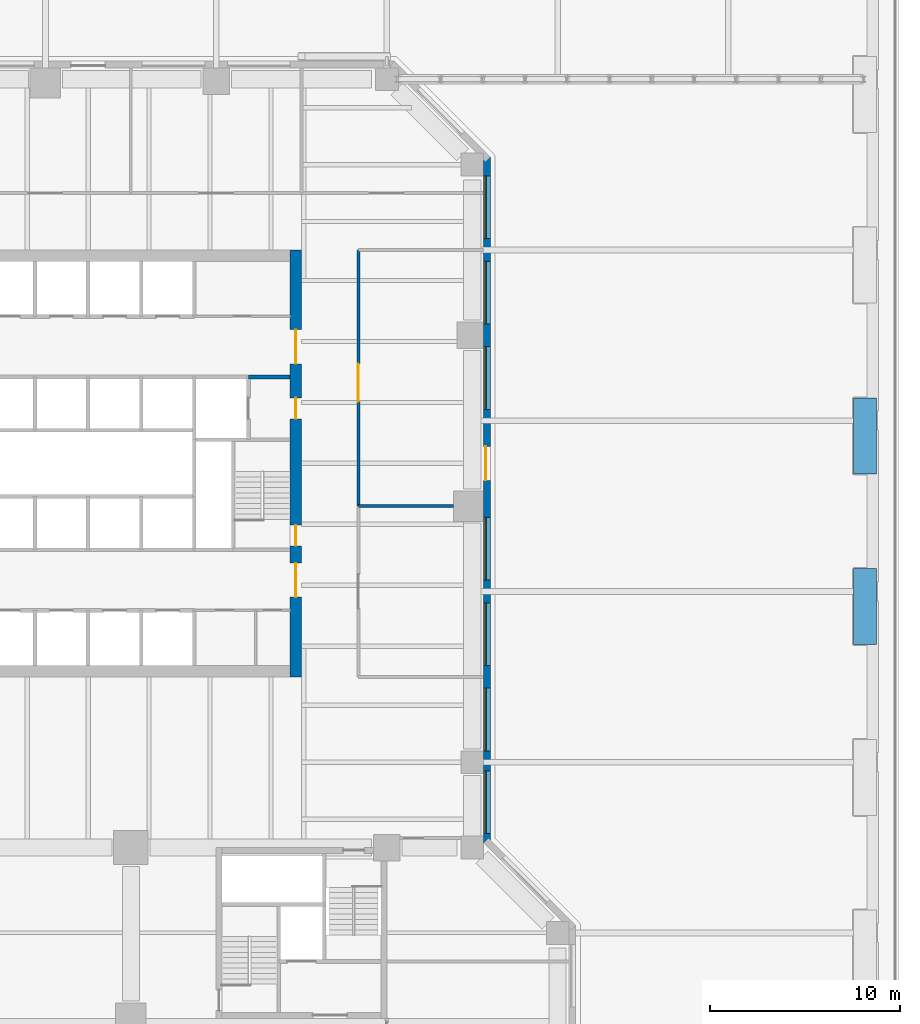
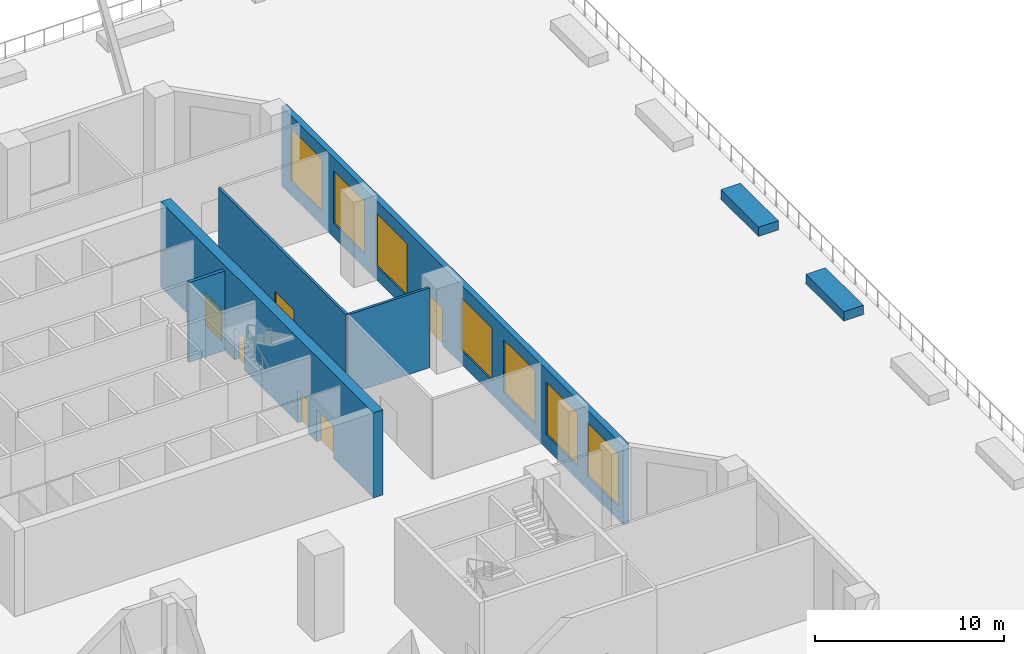
# One storey, part 25 of 33: 7 walls, 7 windows, 6 doors, 13 openings.
"""IFC4 building model written with IfcOpenShell, lengths in metres."""

from ifc_helpers import new_model, si_unit, direction, frame, frame_2d, origin, place, context, subcontext, project, spatial, rectangle, extrude, material, layer, layer_set, constituent, constituent_set, type_object, element, fill, save


model = new_model("IFC4")

# Units and contexts
model_context = context("Model", 3, precision=1e-05, world=origin(), true_north=direction((0.0, 1.0)))
body_context = subcontext(model_context, "Body", "Model", "MODEL_VIEW")
ifc_project = project(units=[si_unit("LENGTHUNIT", "METRE"), si_unit("AREAUNIT", "SQUARE_METRE"), si_unit("VOLUMEUNIT", "CUBIC_METRE"), si_unit("PLANEANGLEUNIT", "RADIAN"), si_unit("MASSUNIT", "GRAM", prefix="KILO")], contexts=[model_context])

# Site, building, storey
site_placement = place(None, origin())
site = spatial("IfcSite", under=ifc_project, at=site_placement, CompositionType="ELEMENT")
building_placement = place(site_placement, origin())
building = spatial("IfcBuilding", under=site, at=building_placement, Name="Quoin Convention Tower", CompositionType="ELEMENT")
storey_placement = place(building_placement, frame((0.0, 0.0, 8.0)))
storey = spatial("IfcBuildingStorey", under=building, at=storey_placement, Name="L01", CompositionType="ELEMENT", Elevation=8.0)

# Wall, openings, windows, door
ifc_material_1 = material(Name="Brick masonry", Category="masonry")
ifc_layer_1 = layer(ifc_material_1, 0.35009765625)
ifc_layer_set_1 = layer_set([ifc_layer_1], Name="Brick masonry")
wall_type_1 = type_object("IfcWallType", Name="Brick facade wall", PredefinedType="STANDARD", material=ifc_layer_set_1)
wall_1_placement = place(storey_placement, frame((77.27490234375, 40.74853515625, 0.0), z_axis=(0.0, 0.0, 1.0), x_axis=(0.0, 1.0, 0.0)))
wall_1 = element("IfcWall", 1, at=wall_1_placement, inside=storey, type_object=wall_type_1, Name="fw-L01-76500_40500", PredefinedType="STANDARD", context=body_context, shape_type="SweptSolid", body=[
    extrude(rectangle(XDim=36.14501953125, YDim=0.35009765625, at=frame_2d((18.072509765625, 0.0))), origin(), (0.0, 0.0, 1.0), 5.125),
])
opening_1_placement = place(wall_1_placement, frame((0.5, 0.0, 0.89990234375)))
opening_1 = element("IfcOpeningElement", 2, at=opening_1_placement, cuts=wall_1, Name="Opening W-04", PredefinedType="OPENING", context=body_context, shape_type="SweptSolid", body=[
    extrude(rectangle(XDim=3.300048828125, YDim=3.39990234375, at=frame_2d((1.64990234375, 1.699951171875))), frame((0.0, 0.18505859375, 0.0), z_axis=(0.0, -1.0, 0.0), x_axis=(1.0, 0.0, 0.0)), (0.0, 0.0, 1.0), 0.3701171875),
])
opening_2_placement = place(wall_1_placement, frame((4.8515625, 0.0, 0.89990234375)))
opening_2 = element("IfcOpeningElement", 3, at=opening_2_placement, cuts=wall_1, Name="Opening W-04", PredefinedType="OPENING", context=body_context, shape_type="SweptSolid", body=[
    extrude(rectangle(XDim=3.300048828125, YDim=3.39990234375, at=frame_2d((1.64990234375, 1.699951171875))), frame((0.0, 0.18505859375, 0.0), z_axis=(0.0, -1.0, 0.0), x_axis=(1.0, 0.0, 0.0)), (0.0, 0.0, 1.0), 0.3701171875),
])
opening_3_placement = place(wall_1_placement, frame((9.3515625, 0.0, 0.89990234375)))
opening_3 = element("IfcOpeningElement", 4, at=opening_3_placement, cuts=wall_1, Name="Opening W-04", PredefinedType="OPENING", context=body_context, shape_type="SweptSolid", body=[
    extrude(rectangle(XDim=3.300048828125, YDim=3.39990234375, at=frame_2d((1.64990234375, 1.699951171875))), frame((0.0, 0.18505859375, 0.0), z_axis=(0.0, -1.0, 0.0), x_axis=(1.0, 0.0, 0.0)), (0.0, 0.0, 1.0), 0.3701171875),
])
opening_4_placement = place(wall_1_placement, frame((13.8515625, 0.0, 0.89990234375)))
opening_4 = element("IfcOpeningElement", 5, at=opening_4_placement, cuts=wall_1, Name="Opening W-04", PredefinedType="OPENING", context=body_context, shape_type="SweptSolid", body=[
    extrude(rectangle(XDim=3.300048828125, YDim=3.39990234375, at=frame_2d((1.64990234375, 1.699951171875))), frame((0.0, 0.18505859375, 0.0), z_axis=(0.0, -1.0, 0.0), x_axis=(1.0, 0.0, 0.0)), (0.0, 0.0, 1.0), 0.3701171875),
])
opening_5_placement = place(wall_1_placement, frame((19.1015625, 0.0, 0.0)))
opening_5 = element("IfcOpeningElement", 6, at=opening_5_placement, cuts=wall_1, Name="Opening D-T1", PredefinedType="OPENING", context=body_context, shape_type="SweptSolid", body=[
    extrude(rectangle(XDim=1.800048828125, YDim=2.39990234375, at=frame_2d((0.89990234375, 1.199951171875))), frame((0.0, 0.18505859375, 0.0), z_axis=(0.0, -1.0, 0.0), x_axis=(1.0, 0.0, 0.0)), (0.0, 0.0, 1.0), 0.3701171875),
])
opening_6_placement = place(wall_1_placement, frame((22.8515625, 0.0, 0.89990234375)))
opening_6 = element("IfcOpeningElement", 7, at=opening_6_placement, cuts=wall_1, Name="Opening W-04", PredefinedType="OPENING", context=body_context, shape_type="SweptSolid", body=[
    extrude(rectangle(XDim=3.300048828125, YDim=3.39990234375, at=frame_2d((1.64990234375, 1.699951171875))), frame((0.0, 0.18505859375, 0.0), z_axis=(0.0, -1.0, 0.0), x_axis=(1.0, 0.0, 0.0)), (0.0, 0.0, 1.0), 0.3701171875),
])
opening_7_placement = place(wall_1_placement, frame((27.3515625, 0.0, 0.89990234375)))
opening_7 = element("IfcOpeningElement", 8, at=opening_7_placement, cuts=wall_1, Name="Opening W-04", PredefinedType="OPENING", context=body_context, shape_type="SweptSolid", body=[
    extrude(rectangle(XDim=3.300048828125, YDim=3.39990234375, at=frame_2d((1.64990234375, 1.699951171875))), frame((0.0, 0.18505859375, 0.0), z_axis=(0.0, -1.0, 0.0), x_axis=(1.0, 0.0, 0.0)), (0.0, 0.0, 1.0), 0.3701171875),
])
opening_8_placement = place(wall_1_placement, frame((31.8515625, 0.0, 0.89990234375)))
opening_8 = element("IfcOpeningElement", 9, at=opening_8_placement, cuts=wall_1, Name="Opening W-04", PredefinedType="OPENING", context=body_context, shape_type="SweptSolid", body=[
    extrude(rectangle(XDim=3.300048828125, YDim=3.39990234375, at=frame_2d((1.64990234375, 1.699951171875))), frame((0.0, 0.18505859375, 0.0), z_axis=(0.0, -1.0, 0.0), x_axis=(1.0, 0.0, 0.0)), (0.0, 0.0, 1.0), 0.3701171875),
])
ifc_material_2 = material(Name="Aluminium", Category="aluminium")
ifc_constituent_1 = constituent(ifc_material_2, Name="Frame")
ifc_material_3 = material(Name="Insulated glass", Category="glass")
ifc_constituent_2 = constituent(ifc_material_3, Name="Glazing")
ifc_constituent_set_1 = constituent_set(constituents=[ifc_constituent_1, ifc_constituent_2], Name="Aluminium")
window_type = type_object("IfcWindowType", Name="Convention window L01", PartitioningType="TRIPLE_PANEL_VERTICAL", PredefinedType="WINDOW", material=ifc_constituent_set_1)
window_1_placement = place(opening_1_placement, origin())
window_1 = element("IfcWindow", 10, at=window_1_placement, inside=storey, type_object=window_type, Name="win-L01-77275_42750", OverallHeight=3.39990234375, OverallWidth=3.300048828125, PartitioningType="SINGLE_PANEL", PredefinedType="WINDOW", context=body_context, shape_type="SweptSolid", body=[
    extrude(rectangle(XDim=3.300048828125, YDim=3.39990234375, at=frame_2d((1.64990234375, 1.699951171875))), frame((0.0, 0.0849609375, 0.0), z_axis=(0.0, -1.0, 0.0), x_axis=(1.0, 0.0, 0.0)), (0.0, 0.0, 1.0), 0.06005859375),
])
fill(opening_1, window_1)
window_2_placement = place(opening_2_placement, origin())
window_2 = element("IfcWindow", 11, at=window_2_placement, inside=storey, type_object=window_type, Name="win-L01-77275_47250", OverallHeight=3.39990234375, OverallWidth=3.300048828125, PartitioningType="SINGLE_PANEL", PredefinedType="WINDOW", context=body_context, shape_type="SweptSolid", body=[
    extrude(rectangle(XDim=3.300048828125, YDim=3.39990234375, at=frame_2d((1.64990234375, 1.699951171875))), frame((0.0, 0.0849609375, 0.0), z_axis=(0.0, -1.0, 0.0), x_axis=(1.0, 0.0, 0.0)), (0.0, 0.0, 1.0), 0.06005859375),
])
fill(opening_2, window_2)
window_3_placement = place(opening_3_placement, origin())
window_3 = element("IfcWindow", 12, at=window_3_placement, inside=storey, type_object=window_type, Name="win-L01-77275_51750", OverallHeight=3.39990234375, OverallWidth=3.300048828125, PartitioningType="SINGLE_PANEL", PredefinedType="WINDOW", context=body_context, shape_type="SweptSolid", body=[
    extrude(rectangle(XDim=3.300048828125, YDim=3.39990234375, at=frame_2d((1.64990234375, 1.699951171875))), frame((0.0, 0.0849609375, 0.0), z_axis=(0.0, -1.0, 0.0), x_axis=(1.0, 0.0, 0.0)), (0.0, 0.0, 1.0), 0.06005859375),
])
fill(opening_3, window_3)
window_4_placement = place(opening_4_placement, origin())
window_4 = element("IfcWindow", 13, at=window_4_placement, inside=storey, type_object=window_type, Name="win-L01-77275_56250", OverallHeight=3.39990234375, OverallWidth=3.300048828125, PartitioningType="SINGLE_PANEL", PredefinedType="WINDOW", context=body_context, shape_type="SweptSolid", body=[
    extrude(rectangle(XDim=3.300048828125, YDim=3.39990234375, at=frame_2d((1.64990234375, 1.699951171875))), frame((0.0, 0.0849609375, 0.0), z_axis=(0.0, -1.0, 0.0), x_axis=(1.0, 0.0, 0.0)), (0.0, 0.0, 1.0), 0.06005859375),
])
fill(opening_4, window_4)
window_5_placement = place(opening_6_placement, origin())
window_5 = element("IfcWindow", 14, at=window_5_placement, inside=storey, type_object=window_type, Name="win-L01-77275_65250", OverallHeight=3.39990234375, OverallWidth=3.300048828125, PartitioningType="SINGLE_PANEL", PredefinedType="WINDOW", context=body_context, shape_type="SweptSolid", body=[
    extrude(rectangle(XDim=3.300048828125, YDim=3.39990234375, at=frame_2d((1.64990234375, 1.699951171875))), frame((0.0, 0.0849609375, 0.0), z_axis=(0.0, -1.0, 0.0), x_axis=(1.0, 0.0, 0.0)), (0.0, 0.0, 1.0), 0.06005859375),
])
fill(opening_6, window_5)
window_6_placement = place(opening_7_placement, origin())
window_6 = element("IfcWindow", 15, at=window_6_placement, inside=storey, type_object=window_type, Name="win-L01-77275_69750", OverallHeight=3.39990234375, OverallWidth=3.300048828125, PartitioningType="SINGLE_PANEL", PredefinedType="WINDOW", context=body_context, shape_type="SweptSolid", body=[
    extrude(rectangle(XDim=3.300048828125, YDim=3.39990234375, at=frame_2d((1.64990234375, 1.699951171875))), frame((0.0, 0.0849609375, 0.0), z_axis=(0.0, -1.0, 0.0), x_axis=(1.0, 0.0, 0.0)), (0.0, 0.0, 1.0), 0.06005859375),
])
fill(opening_7, window_6)
window_7_placement = place(opening_8_placement, origin())
window_7 = element("IfcWindow", 16, at=window_7_placement, inside=storey, type_object=window_type, Name="win-L01-77275_74250", OverallHeight=3.39990234375, OverallWidth=3.300048828125, PartitioningType="SINGLE_PANEL", PredefinedType="WINDOW", context=body_context, shape_type="SweptSolid", body=[
    extrude(rectangle(XDim=3.300048828125, YDim=3.39990234375, at=frame_2d((1.64990234375, 1.699951171875))), frame((0.0, 0.0849609375, 0.0), z_axis=(0.0, -1.0, 0.0), x_axis=(1.0, 0.0, 0.0)), (0.0, 0.0, 1.0), 0.06005859375),
])
fill(opening_8, window_7)
ifc_constituent_3 = constituent(ifc_material_2, Name="Frame")
ifc_constituent_4 = constituent(ifc_material_3, Name="Glazing")
ifc_constituent_set_2 = constituent_set(constituents=[ifc_constituent_3, ifc_constituent_4], Name="Aluminium")
door_type_1 = type_object("IfcDoorType", Name="Glazed terrace door", OperationType="DOUBLE_DOOR_SINGLE_SWING", PredefinedType="DOOR", material=ifc_constituent_set_2)
door_1_placement = place(opening_5_placement, frame((1.800048828125, 0.0, 0.0), z_axis=(0.0, 0.0, 1.0), x_axis=(-1.0, 0.0, 0.0)))
door_1 = element("IfcDoor", 17, at=door_1_placement, inside=storey, type_object=door_type_1, Name="dr-L01-77275_60750", OperationType="DOUBLE_DOOR_SINGLE_SWING", OverallHeight=2.39990234375, OverallWidth=1.800048828125, PredefinedType="DOOR", context=body_context, shape_type="SweptSolid", body=[
    extrude(rectangle(XDim=1.800048828125, YDim=2.39990234375, at=frame_2d((0.89990234375, 1.199951171875))), frame((0.0, -0.02978515625, 0.0), z_axis=(0.0, -1.0, 0.0), x_axis=(1.0, 0.0, 0.0)), (0.0, 0.0, 1.0), 0.050048828125),
])
fill(opening_5, door_1)

# Walls
ifc_material_4 = material(Name="Concrete C50", Category="concrete")
ifc_layer_2 = layer(ifc_material_4, 0.199951171875)
ifc_layer_set_2 = layer_set([ifc_layer_2], Name="Concrete C50")
wall_type_2 = type_object("IfcWallType", Name="Core shaft wall", PredefinedType="SOLIDWALL", material=ifc_layer_set_2)
wall_2_placement = place(storey_placement, frame((64.699951171875, 65.300048828125, 0.0), z_axis=(0.0, 0.0, 1.0), x_axis=(1.0, 0.0, 0.0)))
element("IfcWall", 18, at=wall_2_placement, inside=storey, type_object=wall_type_2, Name="cr-C1-L01-h15800_19700", PredefinedType="SOLIDWALL", context=body_context, shape_type="SweptSolid", body=[
    extrude(rectangle(XDim=2.199951171875, YDim=0.199951171875, at=frame_2d((1.10009765625, 0.0))), origin(), (0.0, 0.0, 1.0), 5.14990234375),
])
ifc_material_5 = material(Name="Plasterboard")
ifc_layer_3 = layer(ifc_material_5, 0.012451171875, Name="Finish")
ifc_material_6 = material(Name="Steel stud framing", Category="steel")
ifc_layer_4 = layer(ifc_material_6, 0.125, Name="Structure")
ifc_layer_5 = layer(ifc_material_5, 0.012451171875, Name="Finish")
ifc_layer_set_3 = layer_set([ifc_layer_3, ifc_layer_4, ifc_layer_5], Name="Steel stud framing")
wall_type_3 = type_object("IfcWallType", Name="Partition wall 150", PredefinedType="PARTITIONING", material=ifc_layer_set_3)
wall_3_placement = place(storey_placement, frame((70.5, 58.5, 0.0), z_axis=(0.0, 0.0, 1.0), x_axis=(1.0, 0.0, 0.0)))
element("IfcWall", 19, at=wall_3_placement, inside=storey, type_object=wall_type_3, Name="pw-L01-037", PredefinedType="PARTITIONING", context=body_context, shape_type="SweptSolid", body=[
    extrude(rectangle(XDim=5.0, YDim=0.14990234375, at=frame_2d((2.5, 0.0))), origin(), (0.0, 0.0, 1.0), 5.14990234375),
])

# Wall, opening, door
wall_4_placement = place(storey_placement, frame((70.5, 58.5, 0.0), z_axis=(0.0, 0.0, 1.0), x_axis=(0.0, 1.0, 0.0)))
wall_4 = element("IfcWall", 20, at=wall_4_placement, inside=storey, type_object=wall_type_3, Name="pw-L01-038", PredefinedType="PARTITIONING", context=body_context, shape_type="SweptSolid", body=[
    extrude(rectangle(XDim=13.5, YDim=0.14990234375, at=frame_2d((6.75, 0.0))), origin(), (0.0, 0.0, 1.0), 5.14990234375),
])
opening_9_placement = place(wall_4_placement, frame((5.5, 0.0, 0.0)))
opening_9 = element("IfcOpeningElement", 21, at=opening_9_placement, cuts=wall_4, Name="Opening DPD1-18", PredefinedType="OPENING", context=body_context, shape_type="SweptSolid", body=[
    extrude(rectangle(XDim=2.0, YDim=2.10009765625, at=frame_2d((1.0, 1.050048828125))), frame((0.0, 0.0849609375, 0.0), z_axis=(0.0, -1.0, 0.0), x_axis=(1.0, 0.0, 0.0)), (0.0, 0.0, 1.0), 0.169921875),
])
ifc_material_7 = material(Name="Steel door leaf", Category="steel")
door_type_2 = type_object("IfcDoorType", Name="Double leaf door 2000", OperationType="DOUBLE_DOOR_SINGLE_SWING", PredefinedType="DOOR", material=ifc_material_7)
door_2_placement = place(opening_9_placement, frame((2.0, 0.0, 0.0), z_axis=(0.0, 0.0, 1.0), x_axis=(-1.0, 0.0, 0.0)))
door_2 = element("IfcDoor", 22, at=door_2_placement, inside=storey, type_object=door_type_2, Name="dr-L01-024", OperationType="DOUBLE_DOOR_SINGLE_SWING", OverallHeight=2.10009765625, OverallWidth=2.0, PredefinedType="DOOR", context=body_context, shape_type="SweptSolid", body=[
    extrude(rectangle(XDim=2.0, YDim=2.10009765625, at=frame_2d((1.0, 1.050048828125))), frame((0.0, 0.02490234375, 0.0), z_axis=(0.0, -1.0, 0.0), x_axis=(1.0, 0.0, 0.0)), (0.0, 0.0, 1.0), 0.050048828125),
])
fill(opening_9, door_2)

# Walls
ifc_material_8 = material(Name="Concrete C40", Category="concrete")
ifc_layer_6 = layer(ifc_material_8, 1.199951171875)
ifc_layer_set_4 = layer_set([ifc_layer_6], Name="Concrete C40")
wall_type_4 = type_object("IfcWallType", Name="Planter bed", PredefinedType="STANDARD", material=ifc_layer_set_4)
for number, where, z_axis, x_axis, name in (
    (23, (97.199951171875, 64.199951171875, 0.0), (0.0, 0.0, 1.0), (0.0, -1.0, 0.0), "PLANTER L01 14"),
    (24, (97.199951171875, 55.199951171875, 0.0), (0.0, 0.0, 1.0), (0.0, -1.0, 0.0), "PLANTER L01 15"),
):
    element("IfcWall", number, at=place(storey_placement, frame(where, z_axis=z_axis, x_axis=x_axis)), inside=storey, type_object=wall_type_4, Name=name, PredefinedType="STANDARD", context=body_context, shape_type="SweptSolid", body=[
        extrude(rectangle(XDim=4.0, YDim=1.199951171875, at=frame_2d((2.0, 0.0))), origin(), (0.0, 0.0, 1.0), 0.60009765625),
    ])

# Wall, openings, doors
ifc_material_9 = material(Name="Concrete C100 (100 MPa)", Category="concrete")
ifc_layer_7 = layer(ifc_material_9, 0.60009765625)
ifc_layer_set_5 = layer_set([ifc_layer_7], Name="Concrete C100 (100 MPa)")
wall_type_5 = type_object("IfcWallType", Name="RC CORE WALL 600 C100", PredefinedType="SHEAR", material=ifc_layer_set_5)
wall_5_placement = place(storey_placement, frame((67.199951171875, 49.5, 0.0), z_axis=(0.0, 0.0, 1.0), x_axis=(0.0, 1.0, 0.0)))
wall_5 = element("IfcWall", 25, at=wall_5_placement, inside=storey, type_object=wall_type_5, Name="cwl-C1-L01-E", PredefinedType="SHEAR", context=body_context, shape_type="SweptSolid", body=[
    extrude(rectangle(XDim=22.5, YDim=0.60009765625, at=frame_2d((11.25, 0.0))), origin(), (0.0, 0.0, 1.0), 5.5),
])
opening_10_placement = place(wall_5_placement, frame((4.199951171875, 0.0, 0.0)))
opening_10 = element("IfcOpeningElement", 26, at=opening_10_placement, cuts=wall_5, Name="Opening DCV1-47", PredefinedType="OPENING", context=body_context, shape_type="SweptSolid", body=[
    extrude(rectangle(XDim=1.800048828125, YDim=2.10009765625, at=frame_2d((0.89990234375, 1.050048828125))), frame((0.0, 0.31005859375, 0.0), z_axis=(0.0, -1.0, 0.0), x_axis=(1.0, 0.0, 0.0)), (0.0, 0.0, 1.0), 0.6201171875),
])
opening_11_placement = place(wall_5_placement, frame((6.89990234375, 0.0, 0.0)))
opening_11 = element("IfcOpeningElement", 27, at=opening_11_placement, cuts=wall_5, Name="Opening SD2", PredefinedType="OPENING", context=body_context, shape_type="SweptSolid", body=[
    extrude(rectangle(XDim=1.10009765625, YDim=2.10009765625, at=frame_2d((0.550048828125, 1.050048828125))), frame((0.0, 0.31005859375, 0.0), z_axis=(0.0, -1.0, 0.0), x_axis=(1.0, 0.0, 0.0)), (0.0, 0.0, 1.0), 0.6201171875),
])
opening_12_placement = place(wall_5_placement, frame((13.60009765625, 0.0, 0.0)))
opening_12 = element("IfcOpeningElement", 28, at=opening_12_placement, cuts=wall_5, Name="Opening DCV1-46", PredefinedType="OPENING", context=body_context, shape_type="SweptSolid", body=[
    extrude(rectangle(XDim=1.10009765625, YDim=2.10009765625, at=frame_2d((0.550048828125, 1.050048828125))), frame((0.0, 0.31005859375, 0.0), z_axis=(0.0, -1.0, 0.0), x_axis=(1.0, 0.0, 0.0)), (0.0, 0.0, 1.0), 0.6201171875),
])
opening_13_placement = place(wall_5_placement, frame((16.5, 0.0, 0.0)))
opening_13 = element("IfcOpeningElement", 29, at=opening_13_placement, cuts=wall_5, Name="Opening DCV1-47", PredefinedType="OPENING", context=body_context, shape_type="SweptSolid", body=[
    extrude(rectangle(XDim=1.800048828125, YDim=2.10009765625, at=frame_2d((0.89990234375, 1.050048828125))), frame((0.0, 0.31005859375, 0.0), z_axis=(0.0, -1.0, 0.0), x_axis=(1.0, 0.0, 0.0)), (0.0, 0.0, 1.0), 0.6201171875),
])
door_type_3 = type_object("IfcDoorType", Name="Fire-fighting lobby door 1100 x 2100", OperationType="SINGLE_SWING_LEFT", PredefinedType="DOOR", material=ifc_material_7)
door_3_placement = place(opening_12_placement, origin())
door_3 = element("IfcDoor", 30, at=door_3_placement, inside=storey, type_object=door_type_3, Name="cd-C1-L01-FFE-E", OperationType="SINGLE_SWING_RIGHT", OverallHeight=2.10009765625, OverallWidth=1.10009765625, PredefinedType="DOOR", context=body_context, shape_type="SweptSolid", body=[
    extrude(rectangle(XDim=1.10009765625, YDim=2.10009765625, at=frame_2d((0.550048828125, 1.050048828125))), frame((0.0, 0.02490234375, 0.0), z_axis=(0.0, -1.0, 0.0), x_axis=(1.0, 0.0, 0.0)), (0.0, 0.0, 1.0), 0.050048828125),
])
fill(opening_12, door_3)
door_type_4 = type_object("IfcDoorType", Name="Lift lobby door 1800 x 2100", OperationType="SINGLE_SWING_LEFT", PredefinedType="DOOR", material=ifc_material_7)
door_4_placement = place(opening_10_placement, origin())
door_4 = element("IfcDoor", 31, at=door_4_placement, inside=storey, type_object=door_type_4, Name="cd-C1-L01-lobA-E", OperationType="SINGLE_SWING_RIGHT", OverallHeight=2.10009765625, OverallWidth=1.800048828125, PredefinedType="DOOR", context=body_context, shape_type="SweptSolid", body=[
    extrude(rectangle(XDim=1.800048828125, YDim=2.10009765625, at=frame_2d((0.89990234375, 1.050048828125))), frame((0.0, 0.02490234375, 0.0), z_axis=(0.0, -1.0, 0.0), x_axis=(1.0, 0.0, 0.0)), (0.0, 0.0, 1.0), 0.050048828125),
])
fill(opening_10, door_4)
door_5_placement = place(opening_13_placement, origin())
door_5 = element("IfcDoor", 32, at=door_5_placement, inside=storey, type_object=door_type_4, Name="cd-C1-L01-lobB-E", OperationType="SINGLE_SWING_RIGHT", OverallHeight=2.10009765625, OverallWidth=1.800048828125, PredefinedType="DOOR", context=body_context, shape_type="SweptSolid", body=[
    extrude(rectangle(XDim=1.800048828125, YDim=2.10009765625, at=frame_2d((0.89990234375, 1.050048828125))), frame((0.0, 0.02490234375, 0.0), z_axis=(0.0, -1.0, 0.0), x_axis=(1.0, 0.0, 0.0)), (0.0, 0.0, 1.0), 0.050048828125),
])
fill(opening_13, door_5)
door_type_5 = type_object("IfcDoorType", Name="Stair door 1100 x 2100", OperationType="SINGLE_SWING_RIGHT", PredefinedType="DOOR", material=ifc_material_7)
door_6_placement = place(opening_11_placement, origin())
door_6 = element("IfcDoor", 33, at=door_6_placement, inside=storey, type_object=door_type_5, Name="cd-C1-L01-STE-E", OperationType="SINGLE_SWING_LEFT", OverallHeight=2.10009765625, OverallWidth=1.10009765625, PredefinedType="DOOR", context=body_context, shape_type="SweptSolid", body=[
    extrude(rectangle(XDim=1.10009765625, YDim=2.10009765625, at=frame_2d((0.550048828125, 1.050048828125))), frame((0.0, 0.02490234375, 0.0), z_axis=(0.0, -1.0, 0.0), x_axis=(1.0, 0.0, 0.0)), (0.0, 0.0, 1.0), 0.050048828125),
])
fill(opening_11, door_6)

save(model, "model.ifc")
